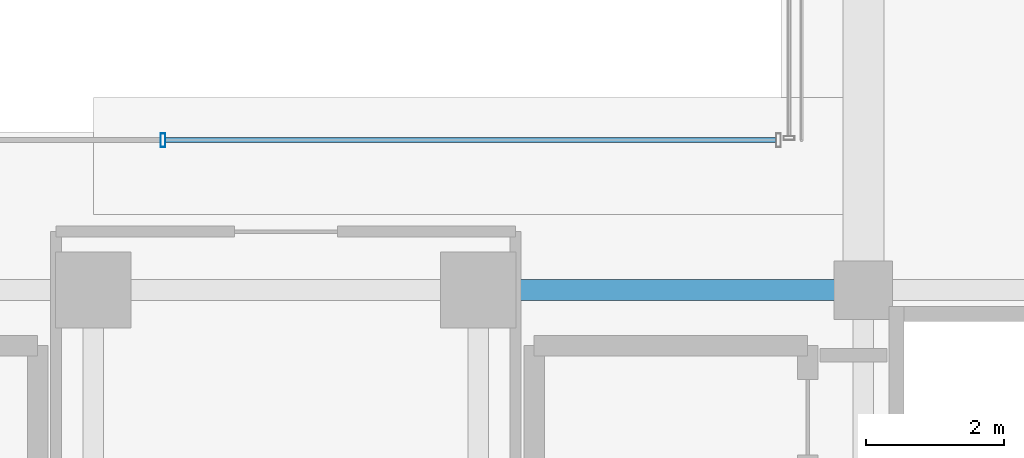
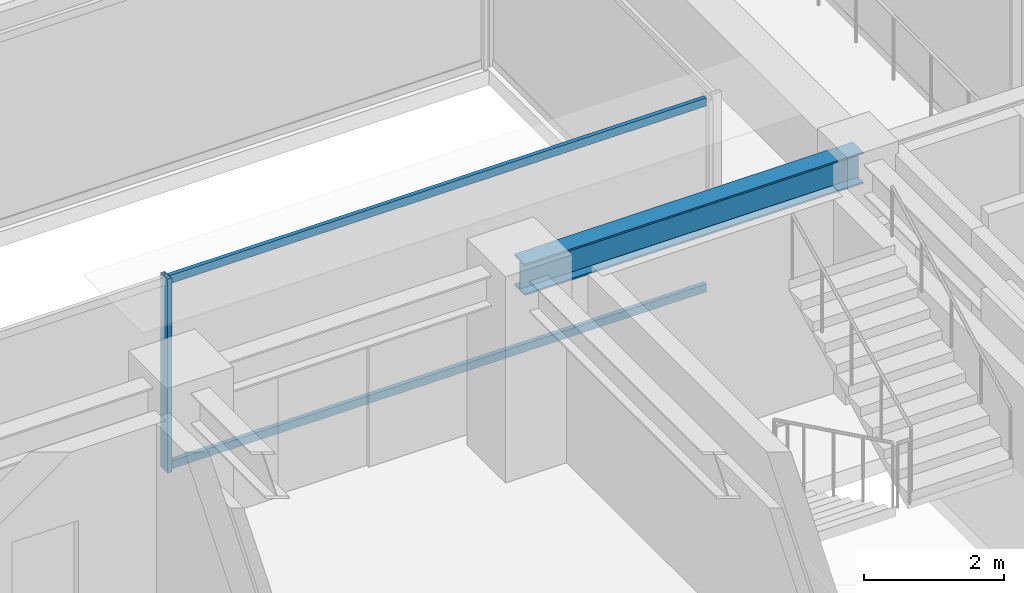
# One storey, part 11 of 43: 3 members, 1 beam, 1 element without a shape of its own.
"""IFC4 building model written with IfcOpenShell, lengths in metres."""

from ifc_helpers import new_model, si_unit, direction, frame, origin, origin_2d, place, context, subcontext, project, spatial, hollow_rectangle, i_section, extrude, source, transform, mapped, material, material_profile, profile_set, type_object, element, aggregate, save


model = new_model("IFC4")

# Units and contexts
model_context = context("Model", 3, precision=1e-05, world=origin(), true_north=direction((0.0, 1.0)))
body_context = subcontext(model_context, "Body", "Model", "MODEL_VIEW")
ifc_project = project(units=[si_unit("LENGTHUNIT", "METRE"), si_unit("AREAUNIT", "SQUARE_METRE"), si_unit("VOLUMEUNIT", "CUBIC_METRE"), si_unit("PLANEANGLEUNIT", "RADIAN"), si_unit("MASSUNIT", "GRAM", prefix="KILO")], contexts=[model_context])

# Site, building, storey
site_placement = place(None, origin())
site = spatial("IfcSite", under=ifc_project, at=site_placement, CompositionType="ELEMENT")
building_placement = place(site_placement, origin())
building = spatial("IfcBuilding", under=site, at=building_placement, Name="Nahalor Promenade Grand Hotel", CompositionType="ELEMENT")
storey_placement = place(building_placement, frame((0.0, 0.0, 181.85009765625)))
storey = spatial("IfcBuildingStorey", under=building, at=storey_placement, Name="L46", CompositionType="ELEMENT", Elevation=181.85009765625)

# Beam
ifc_material_1 = material(Name="Steel S355JR", Category="steel")
ifc_material_profile_1 = material_profile(ifc_material_1, i_section(OverallWidth=0.3, OverallDepth=0.55, WebThickness=0.015, FlangeThickness=0.029, at=origin_2d()), Name="HEB 550")
ifc_profile_set_1 = profile_set([ifc_material_profile_1], Name="Steel S355JR")
beam_type = type_object("IfcBeamType", Name="Beam-Girder-HEB550", PredefinedType="BEAM", material=ifc_profile_set_1)
shared_shape_1 = source(origin(), body_context, "Body", "SweptSolid", [
    extrude(i_section(OverallWidth=0.3, OverallDepth=0.55, WebThickness=0.015, FlangeThickness=0.029, at=origin_2d()), origin(), (0.0, 0.0, 1.0), 5.599853515625),
])
beam_placement = place(storey_placement, frame((2.800048828125, -5.39990234375, 3.114990234375), z_axis=(1.0, 0.0, 0.0), x_axis=(0.0, 1.0, 0.0)))
element("IfcBeam", 1, at=beam_placement, inside=storey, type_object=beam_type, Name="BM-L46-GX-1-4", PredefinedType="BEAM", context=body_context, shape_type="MappedRepresentation", body=[
    mapped(shared_shape_1, transform((0.0, 0.0, 0.0), scale=1.0)),
])

# Curtain wall, members
ifc_material_2 = material(Name="Anodised Bronze Aluminium EN AW-6063 T6", Category="aluminium")
curtain_wall_type = type_object("IfcCurtainWallType", Name="CW3 Elliptical-Void Collar Unitised Curtain Wall", PredefinedType="USERDEFINED", material=ifc_material_2)
curtain_wall_placement = place(storey_placement, origin())
curtain_wall = element("IfcCurtainWall", 2, at=curtain_wall_placement, inside=storey, type_object=curtain_wall_type, Name="L46 Curtain Wall CW-L46-VOID-WS1", ObjectType="UNITISED_CURTAIN_WALL", PredefinedType="USERDEFINED")
ifc_material_profile_2 = material_profile(ifc_material_2, hollow_rectangle(XDim=0.07, YDim=0.14, WallThickness=0.004, at=origin_2d()), Name="CWT 70x140x4")
ifc_profile_set_2 = profile_set([ifc_material_profile_2], Name="Anodised Bronze Aluminium EN AW-6063 T6")
member_type_1 = type_object("IfcMemberType", Name="CWT3 Void Collar Transom 70x140", PredefinedType="USERDEFINED", material=ifc_profile_set_2)
shared_shape_2 = source(origin(), body_context, "Body", "SweptSolid", [
    extrude(hollow_rectangle(XDim=0.07, YDim=0.14, WallThickness=0.004, at=origin_2d()), origin(), (0.0, 0.0, 1.0), 8.881591796875),
])
member_1_placement = place(storey_placement, frame((-1.751708984375, -3.219970703125, 0.06982421875), z_axis=(1.0, 0.0, 0.0), x_axis=(0.0, 1.0, 0.0)))
member_1 = element("IfcMember", 3, at=member_1_placement, type_object=member_type_1, Name="CW-L46-VOID-WS1 Transom 2-0", ObjectType="TRANSOM", PredefinedType="USERDEFINED", context=body_context, shape_type="MappedRepresentation", body=[
    mapped(shared_shape_2, transform((0.0, 0.0, 0.0), scale=1.0)),
])
member_2_placement = place(storey_placement, frame((-1.751708984375, -3.219970703125, 3.31982421875), z_axis=(1.0, 0.0, 0.0), x_axis=(0.0, 1.0, 0.0)))
member_2 = element("IfcMember", 4, at=member_2_placement, type_object=member_type_1, Name="CW-L46-VOID-WS1 Transom 2-1", ObjectType="TRANSOM", PredefinedType="USERDEFINED", context=body_context, shape_type="MappedRepresentation", body=[
    mapped(shared_shape_2, transform((0.0, 0.0, 0.0), scale=1.0)),
])
ifc_material_profile_3 = material_profile(ifc_material_2, hollow_rectangle(XDim=0.07, YDim=0.2, WallThickness=0.005, at=origin_2d()), Name="CWM 70x200x5")
ifc_profile_set_3 = profile_set([ifc_material_profile_3], Name="Anodised Bronze Aluminium EN AW-6063 T6")
member_type_2 = type_object("IfcMemberType", Name="CWM3 Void Collar Mullion 70x200", PredefinedType="MULLION", material=ifc_profile_set_3)
shared_shape_3 = source(origin(), body_context, "Body", "SweptSolid", [
    extrude(hollow_rectangle(XDim=0.07, YDim=0.2, WallThickness=0.005, at=origin_2d()), origin(), (0.0, 0.0, 1.0), 3.389892578125),
])
member_3_placement = place(storey_placement, frame((-1.78662109375, -3.219970703125, 0.0), z_axis=(0.0, 0.0, 1.0), x_axis=(1.0, 0.0, 0.0)))
member_3 = element("IfcMember", 5, at=member_3_placement, type_object=member_type_2, Name="CW-L46-VOID-WS1 Mullion 2", PredefinedType="MULLION", context=body_context, shape_type="MappedRepresentation", body=[
    mapped(shared_shape_3, transform((0.0, 0.0, 0.0), scale=1.0)),
])
aggregate(curtain_wall, [member_3, member_1, member_2])

save(model, "model.ifc")
